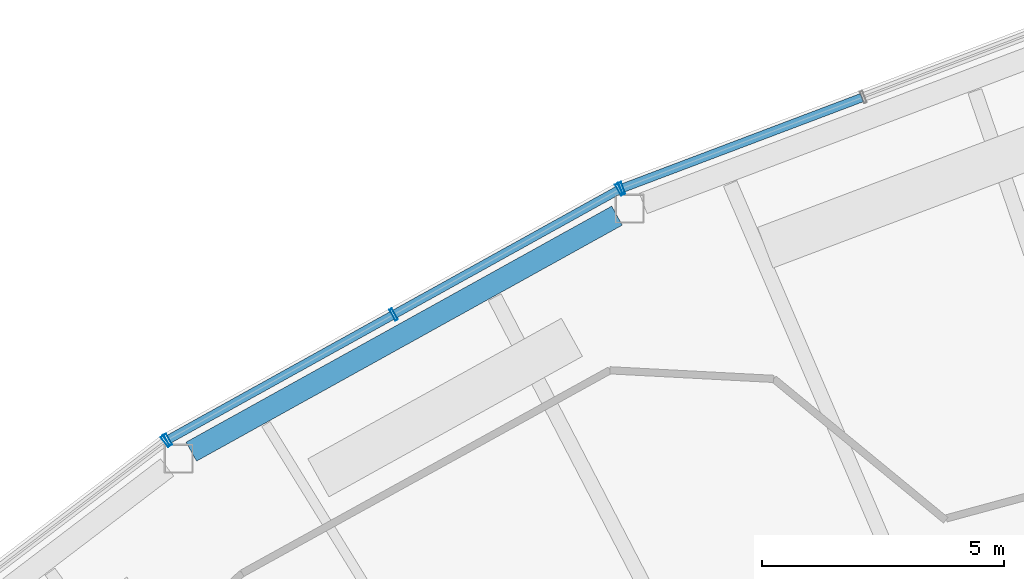
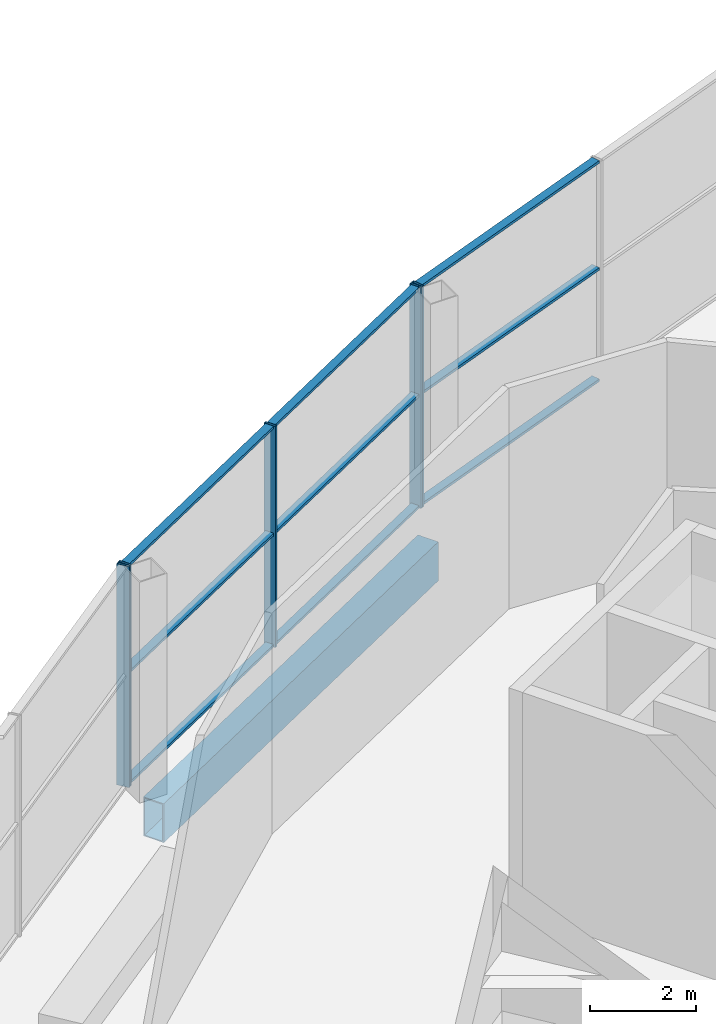
# One storey, part 14 of 43: 14 members, 1 beam, 3 elements without a shape of their own.
"""IFC4 building model written with IfcOpenShell, lengths in metres."""

import ifcopenshell
import ifcopenshell.guid

model = None  # the IFC model being written
_history = None  # IfcOwnerHistory: only IFC2X3 demands one
_inside = {}  # id of a spatial element -> (the spatial element, [elements in it])
_under = {}  # id of a project, library or spatial element -> (it, [spatial elements below it])
_declared = {}  # id of a project -> (the project, [libraries it declares])
_typed = {}  # id of a type object -> (the type object, [elements of that type])
_made_of = {}  # id of a material, layer set ... -> (it, [elements and type objects made of it])


def new_model(schema):
    """Start an empty IFC model of exactly this schema.

    Asked for "IFC4X3", IfcOpenShell would pick the latest addendum, in which some entities
    have other attributes; the version numbers below select the first issue.
    IFC2X3 requires an IfcOwnerHistory on every rooted entity: one is made here for all.
    """
    global model, _history
    if schema == "IFC4X3":
        model = ifcopenshell.file(schema_version=(4, 3, 0, 0))
    else:
        model = ifcopenshell.file(schema=schema)
    _inside.clear()
    _under.clear()
    _declared.clear()
    _typed.clear()
    _made_of.clear()
    _history = None
    if model.schema == "IFC2X3":
        org = make("IfcOrganization", Name="unknown")
        user = make(
            "IfcPersonAndOrganization",
            ThePerson=make("IfcPerson", FamilyName="unknown"),
            TheOrganization=org,
        )
        app = make(
            "IfcApplication",
            ApplicationDeveloper=org,
            Version="unknown",
            ApplicationFullName="unknown",
            ApplicationIdentifier="unknown",
        )
        _history = make(
            "IfcOwnerHistory",
            OwningUser=user,
            OwningApplication=app,
            ChangeAction="ADDED",
            CreationDate=0,
        )
    return model


def make(cls, **values):
    """One entity of the class cls with the attributes given. An attribute that is None is left unset."""
    return model.create_entity(
        cls, **{name: value for name, value in values.items() if value is not None}
    )


def rooted(cls, **values):
    """An entity with a GlobalId (a new one), such as an element, a storey or a relation."""
    return make(cls, GlobalId=ifcopenshell.guid.new(), OwnerHistory=_history, **values)


def si_unit(unit_type, name, prefix=None):
    """IfcSIUnit, for example si_unit("LENGTHUNIT", "METRE", prefix="MILLI")."""
    return make("IfcSIUnit", UnitType=unit_type, Prefix=prefix, Name=name)


def assignment(units):
    """IfcUnitAssignment: the units of a project."""
    return None if units is None else make("IfcUnitAssignment", Units=units)


def point(xyz):
    """IfcCartesianPoint."""
    return None if xyz is None else make("IfcCartesianPoint", Coordinates=xyz)


def direction(xyz):
    """IfcDirection."""
    return None if xyz is None else make("IfcDirection", DirectionRatios=xyz)


def frame(location, z_axis=None, x_axis=None):
    """IfcAxis2Placement3D, a coordinate frame: its origin and axes. An axis left out is left unset."""
    return make(
        "IfcAxis2Placement3D",
        Location=point(location),
        Axis=direction(z_axis),
        RefDirection=direction(x_axis),
    )


def frame_2d(location, x_axis=None):
    """IfcAxis2Placement2D, a coordinate frame in the plane: its origin and x axis."""
    return make(
        "IfcAxis2Placement2D", Location=point(location), RefDirection=direction(x_axis)
    )


def origin():
    """The frame at (0, 0, 0) with its axes left unset."""
    return frame((0.0, 0.0, 0.0))


def origin_2d():
    """The frame at (0, 0) in the plane with its x axis left unset."""
    return frame_2d((0.0, 0.0))


def place(relative_to, where):
    """IfcLocalPlacement: puts the frame where relative to a parent placement (None: the world)."""
    return make(
        "IfcLocalPlacement", PlacementRelTo=relative_to, RelativePlacement=where
    )


def context(
    kind, dimensions, precision=None, world=None, true_north=None, identifier=None
):
    """IfcGeometricRepresentationContext, for example the 3D "Model" context."""
    return make(
        "IfcGeometricRepresentationContext",
        ContextIdentifier=identifier,
        ContextType=kind,
        CoordinateSpaceDimension=dimensions,
        Precision=precision,
        WorldCoordinateSystem=world,
        TrueNorth=true_north,
    )


def subcontext(parent, identifier, kind, view, scale=None):
    """IfcGeometricRepresentationSubContext, for example "Body" below "Model"."""
    return make(
        "IfcGeometricRepresentationSubContext",
        ContextIdentifier=identifier,
        ContextType=kind,
        ParentContext=parent,
        TargetScale=scale,
        TargetView=view,
    )


def project(units=None, contexts=None):
    """IfcProject with its units and contexts."""
    return rooted(
        "IfcProject",
        Name="project",
        RepresentationContexts=contexts,
        UnitsInContext=assignment(units),
    )


def spatial(cls, under=None, at=None, **own):
    """A site, building, storey or space (cls), placed at a placement, below another one or the project."""
    s = rooted(cls, ObjectPlacement=at, **own)
    if under is not None:
        _under.setdefault(under.id(), (under, []))[1].append(s)
    return s


def profile(cls, at=None, kind="AREA", **sizes):
    """A parametric profile (cls). Its sizes go by their IFC names, for example OverallWidth=200.0."""
    return make(cls, ProfileType=kind, Position=at, **sizes)


def hollow_rectangle(**sizes):
    """IfcRectangleHollowProfileDef."""
    return profile("IfcRectangleHollowProfileDef", **sizes)


def extrude(swept, where, along, depth):
    """IfcExtrudedAreaSolid: the profile swept, set in the frame where, extruded along a direction by depth."""
    return make(
        "IfcExtrudedAreaSolid",
        SweptArea=swept,
        Position=where,
        ExtrudedDirection=direction(along),
        Depth=depth,
    )


def shape(context_of_items, identifier, shape_type, items):
    """IfcShapeRepresentation: the items that make up one representation, for example the "Body"."""
    return make(
        "IfcShapeRepresentation",
        ContextOfItems=context_of_items,
        RepresentationIdentifier=identifier,
        RepresentationType=shape_type,
        Items=items,
    )


def material(Name=None, Category=None):
    """IfcMaterial."""
    return make("IfcMaterial", Name=Name, Category=Category)


def layer(
    of_material, thickness, ventilated=None, Name=None, Category=None, Priority=None
):
    """IfcMaterialLayer: one layer of a wall or slab, of a material (None: an air gap)."""
    return make(
        "IfcMaterialLayer",
        Material=of_material,
        LayerThickness=thickness,
        IsVentilated=ventilated,
        Name=Name,
        Category=Category,
        Priority=Priority,
    )


def layer_set(layers, Name=None):
    """IfcMaterialLayerSet."""
    return make("IfcMaterialLayerSet", MaterialLayers=layers, LayerSetName=Name)


def material_profile(
    of_material, cross_section, Name=None, Category=None, Priority=None
):
    """IfcMaterialProfile: a cross section and its material."""
    return make(
        "IfcMaterialProfile",
        Name=Name,
        Material=of_material,
        Profile=cross_section,
        Priority=Priority,
        Category=Category,
    )


def profile_set(profiles, Name=None, composite=None):
    """IfcMaterialProfileSet."""
    return make(
        "IfcMaterialProfileSet",
        Name=Name,
        MaterialProfiles=profiles,
        CompositeProfile=composite,
    )


def made_of(thing, what):
    """Note that an element or type object is made of a material, layer set ...; save() writes the relation."""
    if what is not None:
        _made_of.setdefault(what.id(), (what, []))[1].append(thing)
    return thing


def type_object(cls, material=None, **own):
    """A type object (cls), such as IfcWallType, which elements share."""
    return made_of(rooted(cls, **own), material)


def element(
    cls,
    number,
    at=None,
    inside=None,
    cuts=None,
    type_object=None,
    material=None,
    context=None,
    identifier="Body",
    shape_type=None,
    held_by="IfcProductDefinitionShape",
    body=None,
    shapes=None,
    **own,
):
    """One element of the class cls, such as IfcWall. Its Tag is "e" and its number.

    at: its placement. inside: the storey or other place that contains it. cuts: it is an
    opening in that element (IfcRelVoidsElement). A single representation is given by context,
    identifier, shape_type and body (its items); several are given by shapes. held_by: the class
    of the entity that holds the representations. save() writes the other relations.
    """
    e = rooted(cls, Tag="e%d" % number, ObjectPlacement=at, **own)
    if body is not None:
        shapes = [shape(context, identifier, shape_type, body)]
    if shapes is not None:
        e.Representation = make(held_by, Representations=shapes)
    if inside is not None:
        _inside.setdefault(inside.id(), (inside, []))[1].append(e)
    if cuts is not None:
        rooted(
            "IfcRelVoidsElement", RelatingBuildingElement=cuts, RelatedOpeningElement=e
        )
    if type_object is not None:
        _typed.setdefault(type_object.id(), (type_object, []))[1].append(e)
    return made_of(e, material)


def aggregate(whole, parts):
    """IfcRelAggregates: a whole, such as a stair, and the parts it consists of."""
    return rooted("IfcRelAggregates", RelatingObject=whole, RelatedObjects=parts)


def save(model, path):
    """Write the relations noted so far, then the file.

    IfcRelAggregates (storeys below a building ...), IfcRelContainedInSpatialStructure (elements
    in a storey), IfcRelDefinesByType, IfcRelAssociatesMaterial and IfcRelDeclares: one each for
    every whole, place, type object, material and project.
    """
    for whole, parts in _under.values():
        aggregate(whole, parts)
    for where, things in _inside.values():
        rooted(
            "IfcRelContainedInSpatialStructure",
            RelatedElements=things,
            RelatingStructure=where,
        )
    for kind, things in _typed.values():
        rooted("IfcRelDefinesByType", RelatedObjects=things, RelatingType=kind)
    for what, things in _made_of.values():
        rooted("IfcRelAssociatesMaterial", RelatedObjects=things, RelatingMaterial=what)
    for by, libraries in _declared.values():
        rooted("IfcRelDeclares", RelatingContext=by, RelatedDefinitions=libraries)
    model.write(path)


model = new_model("IFC4")

# Units and contexts
model_context = context("Model", 3, precision=1e-05, world=origin(), true_north=direction((0.0, 1.0)))
body_context = subcontext(model_context, "Body", "Model", "MODEL_VIEW")
ifc_project = project(units=[si_unit("LENGTHUNIT", "METRE"), si_unit("AREAUNIT", "SQUARE_METRE"), si_unit("VOLUMEUNIT", "CUBIC_METRE"), si_unit("PLANEANGLEUNIT", "RADIAN"), si_unit("MASSUNIT", "GRAM", prefix="KILO")], contexts=[model_context])

# Site, building, storey
site_placement = place(None, origin())
site = spatial("IfcSite", under=ifc_project, at=site_placement, CompositionType="ELEMENT")
building_placement = place(site_placement, origin())
building = spatial("IfcBuilding", under=site, at=building_placement, Name="Tuul Gate Civic Tower", CompositionType="ELEMENT")
storey_placement = place(building_placement, frame((0.0, 0.0, 349.10009765625)))
storey = spatial("IfcBuildingStorey", under=building, at=storey_placement, Name="Observation level 1", CompositionType="ELEMENT", Elevation=349.10009765625)

# Curtain wall, member
ifc_material_1 = material(Name="Stainless steel", Category="steel")
ifc_layer = layer(ifc_material_1, 0.199951171875)
ifc_layer_set = layer_set([ifc_layer], Name="Stainless steel")
curtain_wall_type = type_object("IfcCurtainWallType", Name="Curtain wall CW4", PredefinedType="NOTDEFINED", material=ifc_layer_set)
curtain_wall_1_placement = place(storey_placement, origin())
curtain_wall_1 = element("IfcCurtainWall", 1, at=curtain_wall_1_placement, inside=storey, type_object=curtain_wall_type, Name="Curtain wall CW4", PredefinedType="NOTDEFINED")
ifc_material_2 = material(Name="Stainless steel", Category="steel")
ifc_material_profile_1 = material_profile(ifc_material_2, hollow_rectangle(XDim=0.260009765625, YDim=0.06005859375, WallThickness=0.006103515625, at=origin_2d()), Name="CW4 mullion")
ifc_profile_set_1 = profile_set([ifc_material_profile_1], Name="Stainless steel")
member_type_1 = type_object("IfcMemberType", Name="CW4 mullion", PredefinedType="MULLION", material=ifc_profile_set_1)
member_1_placement = place(storey_placement, frame((-29.032958984375, 7.401611328125, 0.0), z_axis=(0.0, 0.0, 1.0), x_axis=(0.35373363489, -0.935346200905, 0.0)))
member_1 = element("IfcMember", 2, at=member_1_placement, type_object=member_type_1, Name="Mullion", PredefinedType="MULLION", context=body_context, shape_type="SweptSolid", body=[
    extrude(hollow_rectangle(XDim=0.260009765625, YDim=0.06005859375, WallThickness=0.006103515625, at=origin_2d()), origin(), (0.0, 0.0, 1.0), 5.099853515625),
])

# Curtain wall, members
curtain_wall_2_placement = place(storey_placement, origin())
curtain_wall_2 = element("IfcCurtainWall", 3, at=curtain_wall_2_placement, inside=storey, type_object=curtain_wall_type, Name="Curtain wall CW4", PredefinedType="NOTDEFINED")
member_2_placement = place(storey_placement, frame((-29.087158203125, 7.37646484375, 0.0), z_axis=(0.0, 0.0, 1.0), x_axis=(0.48478912347, -0.874631068374, 0.0)))
member_2 = element("IfcMember", 4, at=member_2_placement, type_object=member_type_1, Name="Mullion", PredefinedType="MULLION", context=body_context, shape_type="SweptSolid", body=[
    extrude(hollow_rectangle(XDim=0.260009765625, YDim=0.06005859375, WallThickness=0.006103515625, at=origin_2d()), origin(), (0.0, 0.0, 1.0), 5.099853515625),
])
member_3_placement = place(storey_placement, frame((-33.759033203125, 4.787109375, 0.0), z_axis=(0.0, 0.0, 1.0), x_axis=(0.48478912347, -0.874631068374, 0.0)))
member_3 = element("IfcMember", 5, at=member_3_placement, type_object=member_type_1, Name="Mullion", PredefinedType="MULLION", context=body_context, shape_type="SweptSolid", body=[
    extrude(hollow_rectangle(XDim=0.260009765625, YDim=0.06005859375, WallThickness=0.006103515625, at=origin_2d()), origin(), (0.0, 0.0, 1.0), 5.099853515625),
])
member_4_placement = place(storey_placement, frame((-38.4306640625, 2.197509765625, 0.0), z_axis=(0.0, 0.0, 1.0), x_axis=(0.48478912347, -0.874631068374, 0.0)))
member_4 = element("IfcMember", 6, at=member_4_placement, type_object=member_type_1, Name="Mullion", PredefinedType="MULLION", context=body_context, shape_type="SweptSolid", body=[
    extrude(hollow_rectangle(XDim=0.260009765625, YDim=0.06005859375, WallThickness=0.006103515625, at=origin_2d()), origin(), (0.0, 0.0, 1.0), 5.099853515625),
])

# Curtain wall, member
curtain_wall_3_placement = place(storey_placement, origin())
curtain_wall_3 = element("IfcCurtainWall", 7, at=curtain_wall_3_placement, inside=storey, type_object=curtain_wall_type, Name="Curtain wall CW4", PredefinedType="NOTDEFINED")
member_5_placement = place(storey_placement, frame((-38.48095703125, 2.164794921875, 0.0), z_axis=(0.0, 0.0, 1.0), x_axis=(0.605807600786, -0.795611180684, 0.0)))
member_5 = element("IfcMember", 8, at=member_5_placement, type_object=member_type_1, Name="Mullion", PredefinedType="MULLION", context=body_context, shape_type="SweptSolid", body=[
    extrude(hollow_rectangle(XDim=0.260009765625, YDim=0.06005859375, WallThickness=0.006103515625, at=origin_2d()), origin(), (0.0, 0.0, 1.0), 5.099853515625),
])
aggregate(curtain_wall_3, [member_5])

# Member
ifc_material_3 = material(Name="Stainless steel", Category="steel")
ifc_material_profile_2 = material_profile(ifc_material_3, hollow_rectangle(XDim=0.179931640625, YDim=0.06005859375, WallThickness=0.006103515625, at=origin_2d()), Name="CW4 transom")
ifc_profile_set_2 = profile_set([ifc_material_profile_2], Name="Stainless steel")
member_type_2 = type_object("IfcMemberType", Name="CW4 transom", PredefinedType="USERDEFINED", material=ifc_profile_set_2)
member_6_placement = place(storey_placement, frame((-24.06494140625, 9.2802734375, 0.02978515625), z_axis=(-0.93534909907, -0.353725971438, 0.0), x_axis=(0.353725971438, -0.93534909907, 0.0)))
member_6 = element("IfcMember", 9, at=member_6_placement, type_object=member_type_2, Name="Transom", ObjectType="TRANSOM", PredefinedType="USERDEFINED", context=body_context, shape_type="SweptSolid", body=[
    extrude(hollow_rectangle(XDim=0.179931640625, YDim=0.06005859375, WallThickness=0.006103515625, at=origin_2d()), origin(), (0.0, 0.0, 1.0), 5.281494140625),
])

member_7_placement = place(storey_placement, frame((-24.06494140625, 9.2802734375, 2.599853515625), z_axis=(-0.93534909907, -0.353725971438, 0.0), x_axis=(0.353725971438, -0.93534909907, 0.0)))
member_7 = element("IfcMember", 10, at=member_7_placement, type_object=member_type_2, Name="Transom", ObjectType="TRANSOM", PredefinedType="USERDEFINED", context=body_context, shape_type="SweptSolid", body=[
    extrude(hollow_rectangle(XDim=0.179931640625, YDim=0.06005859375, WallThickness=0.006103515625, at=origin_2d()), origin(), (0.0, 0.0, 1.0), 5.281494140625),
])

member_8_placement = place(storey_placement, frame((-24.06494140625, 9.2802734375, 5.06982421875), z_axis=(-0.93534909907, -0.353725971438, 0.0), x_axis=(0.353725971438, -0.93534909907, 0.0)))
member_8 = element("IfcMember", 11, at=member_8_placement, type_object=member_type_2, Name="Transom", ObjectType="TRANSOM", PredefinedType="USERDEFINED", context=body_context, shape_type="SweptSolid", body=[
    extrude(hollow_rectangle(XDim=0.179931640625, YDim=0.06005859375, WallThickness=0.006103515625, at=origin_2d()), origin(), (0.0, 0.0, 1.0), 5.281494140625),
])

aggregate(curtain_wall_1, [member_1, member_6, member_7, member_8])

member_9_placement = place(storey_placement, frame((-29.113525390625, 7.36181640625, 0.02978515625), z_axis=(-0.874630042006, -0.484790975186, 0.0), x_axis=(0.484790975186, -0.874630042006, 0.0)))
member_9 = element("IfcMember", 12, at=member_9_placement, type_object=member_type_2, Name="Transom", ObjectType="TRANSOM", PredefinedType="USERDEFINED", context=body_context, shape_type="SweptSolid", body=[
    extrude(hollow_rectangle(XDim=0.179931640625, YDim=0.06005859375, WallThickness=0.006103515625, at=origin_2d()), origin(), (0.0, 0.0, 1.0), 5.28125),
])

member_10_placement = place(storey_placement, frame((-29.113525390625, 7.36181640625, 2.599853515625), z_axis=(-0.874630042006, -0.484790975186, 0.0), x_axis=(0.484790975186, -0.874630042006, 0.0)))
member_10 = element("IfcMember", 13, at=member_10_placement, type_object=member_type_2, Name="Transom", ObjectType="TRANSOM", PredefinedType="USERDEFINED", context=body_context, shape_type="SweptSolid", body=[
    extrude(hollow_rectangle(XDim=0.179931640625, YDim=0.06005859375, WallThickness=0.006103515625, at=origin_2d()), origin(), (0.0, 0.0, 1.0), 5.28125),
])

member_11_placement = place(storey_placement, frame((-29.113525390625, 7.36181640625, 5.06982421875), z_axis=(-0.874630042006, -0.484790975186, 0.0), x_axis=(0.484790975186, -0.874630042006, 0.0)))
member_11 = element("IfcMember", 14, at=member_11_placement, type_object=member_type_2, Name="Transom", ObjectType="TRANSOM", PredefinedType="USERDEFINED", context=body_context, shape_type="SweptSolid", body=[
    extrude(hollow_rectangle(XDim=0.179931640625, YDim=0.06005859375, WallThickness=0.006103515625, at=origin_2d()), origin(), (0.0, 0.0, 1.0), 5.28125),
])

member_12_placement = place(storey_placement, frame((-33.78515625, 4.7724609375, 0.02978515625), z_axis=(-0.874640905911, -0.484771374678, 0.0), x_axis=(0.484771374678, -0.874640905911, 0.0)))
member_12 = element("IfcMember", 15, at=member_12_placement, type_object=member_type_2, Name="Transom", ObjectType="TRANSOM", PredefinedType="USERDEFINED", context=body_context, shape_type="SweptSolid", body=[
    extrude(hollow_rectangle(XDim=0.179931640625, YDim=0.06005859375, WallThickness=0.006103515625, at=origin_2d()), origin(), (0.0, 0.0, 1.0), 5.281494140625),
])

member_13_placement = place(storey_placement, frame((-33.78515625, 4.7724609375, 2.599853515625), z_axis=(-0.874640905911, -0.484771374678, 0.0), x_axis=(0.484771374678, -0.874640905911, 0.0)))
member_13 = element("IfcMember", 16, at=member_13_placement, type_object=member_type_2, Name="Transom", ObjectType="TRANSOM", PredefinedType="USERDEFINED", context=body_context, shape_type="SweptSolid", body=[
    extrude(hollow_rectangle(XDim=0.179931640625, YDim=0.06005859375, WallThickness=0.006103515625, at=origin_2d()), origin(), (0.0, 0.0, 1.0), 5.281494140625),
])

member_14_placement = place(storey_placement, frame((-33.78515625, 4.7724609375, 5.06982421875), z_axis=(-0.874640905911, -0.484771374678, 0.0), x_axis=(0.484771374678, -0.874640905911, 0.0)))
member_14 = element("IfcMember", 17, at=member_14_placement, type_object=member_type_2, Name="Transom", ObjectType="TRANSOM", PredefinedType="USERDEFINED", context=body_context, shape_type="SweptSolid", body=[
    extrude(hollow_rectangle(XDim=0.179931640625, YDim=0.06005859375, WallThickness=0.006103515625, at=origin_2d()), origin(), (0.0, 0.0, 1.0), 5.281494140625),
])

aggregate(curtain_wall_2, [member_2, member_3, member_4, member_9, member_10, member_11, member_12, member_13, member_14])

# Beam
ifc_material_4 = material(Name="Steel S355", Category="steel")
ifc_material_profile_3 = material_profile(ifc_material_4, hollow_rectangle(XDim=0.449951171875, YDim=0.89990234375, WallThickness=0.02490234375, at=origin_2d()), Name="BOX900x450x25")
ifc_profile_set_3 = profile_set([ifc_material_profile_3], Name="Steel S355")
beam_type = type_object("IfcBeamType", Name="STR-SPANDREL BEAM-BOX900x450x25", PredefinedType="BEAM", material=ifc_profile_set_3)
beam_placement = place(storey_placement, frame((-29.13427734375, 6.83642578125, -0.85009765625), z_axis=(-0.874588911386, -0.484865173095, 0.0), x_axis=(0.484865173095, -0.874588911386, 0.0)))
element("IfcBeam", 18, at=beam_placement, inside=storey, type_object=beam_type, Name="Spandrel beam", PredefinedType="BEAM", context=body_context, shape_type="SweptSolid", body=[
    extrude(hollow_rectangle(XDim=0.449951171875, YDim=0.89990234375, WallThickness=0.02490234375, at=origin_2d()), origin(), (0.0, 0.0, 1.0), 10.076904296875),
])

save(model, "model.ifc")
